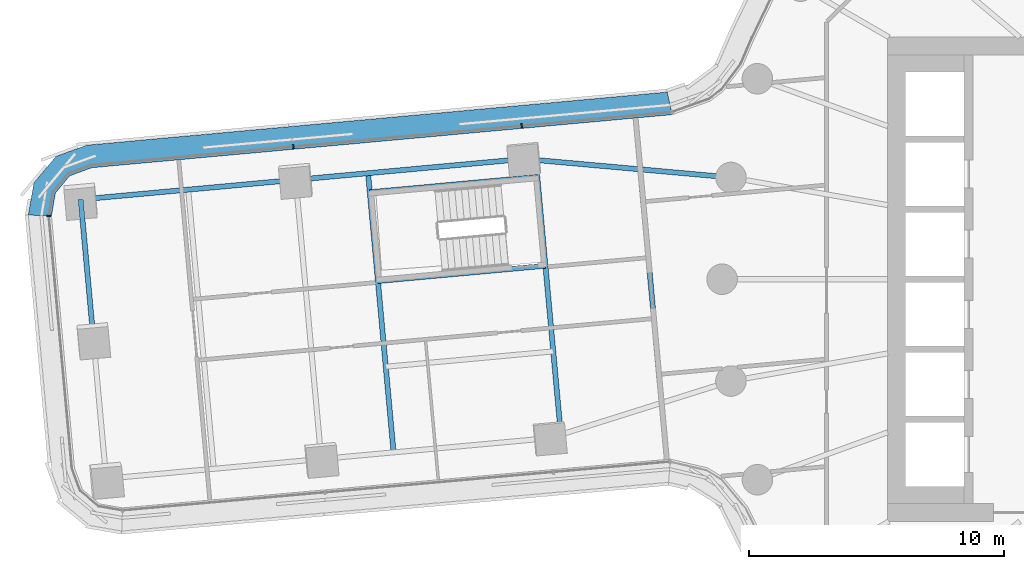
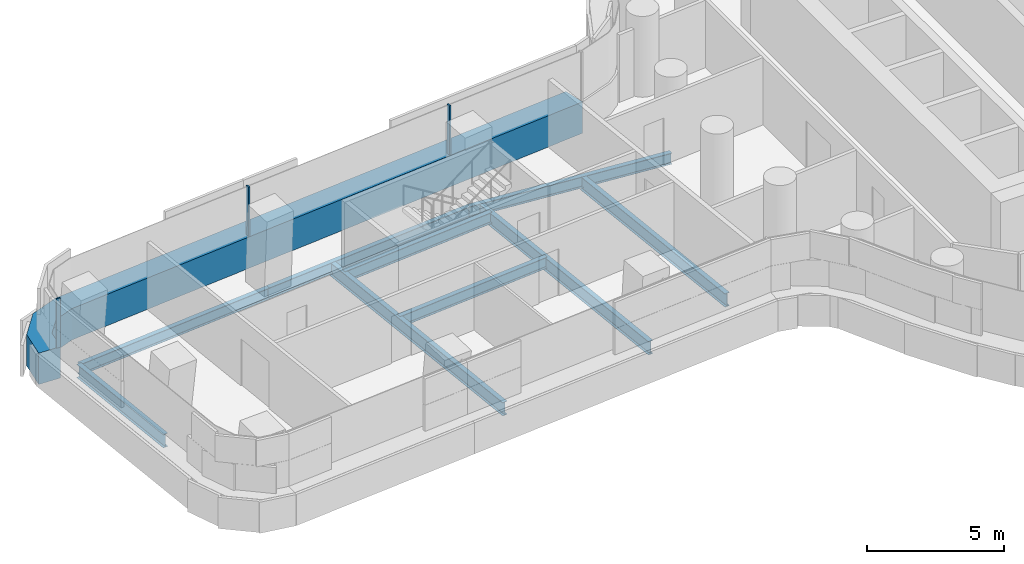
# One storey, part 6 of 31: 9 beams, 4 members, 2 elements without a shape of their own.
"""IFC4 building model written with IfcOpenShell, lengths in metres."""

from ifc_helpers import new_model, si_unit, direction, frame, origin, origin_2d, place, context, subcontext, project, spatial, polyline, rectangle, i_section, outline, extrude, material, layer, layer_set, material_profile, profile_set, type_object, element, aggregate, save


model = new_model("IFC4")

# Units and contexts
model_context = context("Model", 3, precision=1e-05, world=origin(), true_north=direction((0.0, 1.0)))
body_context = subcontext(model_context, "Body", "Model", "MODEL_VIEW")
ifc_project = project(units=[si_unit("LENGTHUNIT", "METRE"), si_unit("AREAUNIT", "SQUARE_METRE"), si_unit("VOLUMEUNIT", "CUBIC_METRE"), si_unit("PLANEANGLEUNIT", "RADIAN"), si_unit("MASSUNIT", "GRAM", prefix="KILO")], contexts=[model_context])

# Site, building, storey
site_placement = place(None, origin())
site = spatial("IfcSite", under=ifc_project, at=site_placement, CompositionType="ELEMENT")
building_placement = place(site_placement, origin())
building = spatial("IfcBuilding", under=site, at=building_placement, Name="Tamarind Cross Interchange Tower", CompositionType="ELEMENT")
storey_placement = place(building_placement, frame((0.0, 0.0, 52.75)))
storey = spatial("IfcBuildingStorey", under=building, at=storey_placement, Name="L11", CompositionType="ELEMENT", Elevation=52.75)

# Beams
ifc_material_1 = material(Name="Steel Q355B", Category="steel")
ifc_material_profile_1 = material_profile(ifc_material_1, i_section(OverallWidth=0.198974609375, OverallDepth=0.49609375, WebThickness=0.009033203125, FlangeThickness=0.013916015625, FilletRadius=0.012939453125, at=origin_2d()), Name="HN 496x199x9x14")
ifc_profile_set_1 = profile_set([ifc_material_profile_1], Name="Steel Q355B")
beam_type_1 = type_object("IfcBeamType", Name="Composite beam HN 496x199x9x14 Q355B", PredefinedType="BEAM", material=ifc_profile_set_1)
beam_1_placement = place(storey_placement, frame((-48.16796875, 3.13037109375, -0.387939453125), z_axis=(0.995844653941, 0.091068244839, 0.0), x_axis=(-0.091068244839, 0.995844653941, 0.0)))
element("IfcBeam", 1, at=beam_1_placement, inside=storey, type_object=beam_type_1, Name="Beam W-edgeem5", PredefinedType="BEAM", context=body_context, shape_type="SweptSolid", body=[
    extrude(i_section(OverallWidth=0.198974609375, OverallDepth=0.49609375, WebThickness=0.009033203125, FlangeThickness=0.013916015625, FilletRadius=0.012939453125, at=origin_2d()), origin(), (0.0, 0.0, 1.0), 8.47412109375),
])
beam_2_placement = place(storey_placement, frame((-39.72900390625, 3.902099609375, -0.387939453125), z_axis=(0.995847498535, 0.091037133423, 0.0), x_axis=(-0.091037133423, 0.995847498535, 0.0)))
element("IfcBeam", 2, at=beam_2_placement, inside=storey, type_object=beam_type_1, Name="Beam W-edgeem6", PredefinedType="BEAM", context=body_context, shape_type="SweptSolid", body=[
    extrude(i_section(OverallWidth=0.198974609375, OverallDepth=0.49609375, WebThickness=0.009033203125, FlangeThickness=0.013916015625, FilletRadius=0.012939453125, at=origin_2d()), origin(), (0.0, 0.0, 1.0), 9.0),
])
beam_3_placement = place(storey_placement, frame((-30.766357421875, 4.721435546875, -0.387939453125), z_axis=(0.996005888069, -0.089287574347, 0.0), x_axis=(0.089287574347, 0.996005888069, 0.0)))
element("IfcBeam", 3, at=beam_3_placement, inside=storey, type_object=beam_type_1, Name="Beam W-linkem", PredefinedType="BEAM", context=body_context, shape_type="SweptSolid", body=[
    extrude(i_section(OverallWidth=0.198974609375, OverallDepth=0.49609375, WebThickness=0.009033203125, FlangeThickness=0.013916015625, FilletRadius=0.012939453125, at=origin_2d()), origin(), (0.0, 0.0, 1.0), 8.148193359375),
])
beam_4_placement = place(storey_placement, frame((-30.25, 4.015625, -0.387939453125), z_axis=(-0.99584424524, -0.091072713933, 0.0), x_axis=(0.091072713933, -0.99584424524, 0.0)))
element("IfcBeam", 4, at=beam_4_placement, inside=storey, type_object=beam_type_1, Name="Beam W-tr0", PredefinedType="BEAM", context=body_context, shape_type="SweptSolid", body=[
    extrude(i_section(OverallWidth=0.198974609375, OverallDepth=0.49609375, WebThickness=0.009033203125, FlangeThickness=0.013916015625, FilletRadius=0.012939453125, at=origin_2d()), origin(), (0.0, 0.0, 1.0), 6.599853515625),
])
beam_5_placement = place(storey_placement, frame((-29.93115234375, 0.530029296875, -0.387939453125), z_axis=(-0.99584790603, -0.091032675757, 0.0), x_axis=(0.091032675757, -0.99584790603, 0.0)))
element("IfcBeam", 5, at=beam_5_placement, inside=storey, type_object=beam_type_1, Name="Beam W-tr1", PredefinedType="BEAM", context=body_context, shape_type="SweptSolid", body=[
    extrude(i_section(OverallWidth=0.198974609375, OverallDepth=0.49609375, WebThickness=0.009033203125, FlangeThickness=0.013916015625, FilletRadius=0.012939453125, at=origin_2d()), origin(), (0.0, 0.0, 1.0), 6.60009765625),
])
ifc_material_profile_2 = material_profile(ifc_material_1, i_section(OverallWidth=0.199951171875, OverallDepth=0.60009765625, WebThickness=0.010986328125, FlangeThickness=0.01708984375, FilletRadius=0.012939453125, at=origin_2d()), Name="HN 600x200x11x17")
ifc_profile_set_2 = profile_set([ifc_material_profile_2], Name="Steel Q355B")
beam_type_2 = type_object("IfcBeamType", Name="Composite beam HN 600x200x11x17 Q355B", PredefinedType="BEAM", material=ifc_profile_set_2)
beam_6_placement = place(storey_placement, frame((-48.16796875, 3.13037109375, -0.43994140625), z_axis=(0.09108805881, -0.995842841789, 0.0), x_axis=(0.995842841789, 0.09108805881, 0.0)))
element("IfcBeam", 6, at=beam_6_placement, inside=storey, type_object=beam_type_2, Name="Beam W-tip0", PredefinedType="BEAM", context=body_context, shape_type="SweptSolid", body=[
    extrude(i_section(OverallWidth=0.199951171875, OverallDepth=0.60009765625, WebThickness=0.010986328125, FlangeThickness=0.01708984375, FilletRadius=0.012939453125, at=origin_2d()), origin(), (0.0, 0.0, 1.0), 5.5),
])
beam_7_placement = place(storey_placement, frame((-30.310791015625, 4.6806640625, -0.43994140625), z_axis=(0.091064671518, -0.995844980708, 0.0), x_axis=(0.995844980708, 0.091064671518, 0.0)))
element("IfcBeam", 7, at=beam_7_placement, inside=storey, type_object=beam_type_2, Name="Beam W-x298", PredefinedType="BEAM", context=body_context, shape_type="SweptSolid", body=[
    extrude(i_section(OverallWidth=0.199951171875, OverallDepth=0.60009765625, WebThickness=0.010986328125, FlangeThickness=0.01708984375, FilletRadius=0.012939453125, at=origin_2d()), origin(), (0.0, 0.0, 1.0), 10.8203125),
])
beam_8_placement = place(storey_placement, frame((-36.890869140625, 4.161376953125, -0.43994140625), z_axis=(0.09106604795, -0.99584485484, 0.0), x_axis=(0.99584485484, 0.09106604795, 0.0)))
element("IfcBeam", 8, at=beam_8_placement, inside=storey, type_object=beam_type_2, Name="Beam W-x364", PredefinedType="BEAM", context=body_context, shape_type="SweptSolid", body=[
    extrude(i_section(OverallWidth=0.199951171875, OverallDepth=0.60009765625, WebThickness=0.010986328125, FlangeThickness=0.01708984375, FilletRadius=0.012939453125, at=origin_2d()), origin(), (0.0, 0.0, 1.0), 10.999755859375),
])
beam_9_placement = place(storey_placement, frame((-26.210205078125, 4.31298828125, -0.43994140625), z_axis=(0.091057236296, -0.995845660591, 0.0), x_axis=(0.995845660591, 0.091057236296, 0.0)))
element("IfcBeam", 9, at=beam_9_placement, inside=storey, type_object=beam_type_2, Name="Beam W-x258", PredefinedType="BEAM", context=body_context, shape_type="SweptSolid", body=[
    extrude(i_section(OverallWidth=0.199951171875, OverallDepth=0.60009765625, WebThickness=0.010986328125, FlangeThickness=0.01708984375, FilletRadius=0.012939453125, at=origin_2d()), origin(), (0.0, 0.0, 1.0), 9.201904296875),
])

# Curtain wall, members
ifc_material_2 = material(Name="Aluminium 6063-T6", Category="aluminium")
ifc_layer = layer(ifc_material_2, 0.159912109375)
ifc_layer_set = layer_set([ifc_layer], Name="Aluminium 6063-T6")
curtain_wall_type = type_object("IfcCurtainWallType", Name="Office curtain wall, 9.0 m bays", PredefinedType="NOTDEFINED", material=ifc_layer_set)
curtain_wall_1_placement = place(storey_placement, origin())
curtain_wall_1 = element("IfcCurtainWall", 10, at=curtain_wall_1_placement, inside=storey, type_object=curtain_wall_type, Name="CWS-L11-03", PredefinedType="NOTDEFINED")
ifc_material_3 = material(Name="Aluminium and insulated spandrel panel", Category="aluminium")
member_type_1 = type_object("IfcMemberType", Name="Floor-edge blade transom", PredefinedType="USERDEFINED", material=ifc_material_3)
member_1_placement = place(storey_placement, origin())
member_1 = element("IfcMember", 11, at=member_1_placement, type_object=member_type_1, Name="CWT-L11-03", ObjectType="TRANSOM", PredefinedType="USERDEFINED", context=body_context, shape_type="SweptSolid", body=[
    extrude(outline(polyline([(-24.954833984375, 6.457763671875), (-47.73974609375, 4.37451171875), (-48.598876953125, 4.05810546875), (-49.158203125, 3.385986328125), (-49.313720703125, 2.48388671875), (-50.220703125, 2.52001953125), (-50.00439453125, 3.7763671875), (-49.13623046875, 4.8193359375), (-47.939697265625, 5.260009765625), (-25.150146484375, 7.34375), (-24.954833984375, 6.457763671875)])), origin(), (0.0, 0.0, 1.0), 1.39990234375),
])
ifc_material_profile_3 = material_profile(ifc_material_2, rectangle(XDim=0.06005859375, YDim=0.159912109375, at=origin_2d()), Name="Mullion CW1")
ifc_profile_set_3 = profile_set([ifc_material_profile_3], Name="Aluminium 6063-T6")
member_type_2 = type_object("IfcMemberType", Name="Mullion CW1", PredefinedType="MULLION", material=ifc_profile_set_3)
member_2_placement = place(storey_placement, frame((-30.859375, 6.018310546875, 1.39990234375), z_axis=(0.0, 0.0, 1.0), x_axis=(-0.995846347162, -0.091049727316, 0.0)))
member_2 = element("IfcMember", 12, at=member_2_placement, type_object=member_type_2, Name="CWM-L11-03-01", PredefinedType="MULLION", context=body_context, shape_type="SweptSolid", body=[
    extrude(rectangle(XDim=0.06005859375, YDim=0.159912109375, at=origin_2d()), origin(), (0.0, 0.0, 1.0), 2.210205078125),
])
member_3_placement = place(storey_placement, frame((-39.8212890625, 5.198974609375, 1.39990234375), z_axis=(0.0, 0.0, 1.0), x_axis=(-0.995846347162, -0.091049727316, 0.0)))
member_3 = element("IfcMember", 13, at=member_3_placement, type_object=member_type_2, Name="CWM-L11-03-02", PredefinedType="MULLION", context=body_context, shape_type="SweptSolid", body=[
    extrude(rectangle(XDim=0.06005859375, YDim=0.159912109375, at=origin_2d()), origin(), (0.0, 0.0, 1.0), 2.210205078125),
])
aggregate(curtain_wall_1, [member_2, member_3, member_1])

# Curtain wall, member
curtain_wall_2_placement = place(storey_placement, origin())
curtain_wall_2 = element("IfcCurtainWall", 14, at=curtain_wall_2_placement, inside=storey, type_object=curtain_wall_type, Name="CWS-L11-04", PredefinedType="NOTDEFINED")
member_4_placement = place(storey_placement, frame((-49.41455078125, 2.488037109375, 1.39990234375), z_axis=(0.0, 0.0, 1.0), x_axis=(-0.039713247455, -0.999211117821, 0.0)))
member_4 = element("IfcMember", 15, at=member_4_placement, type_object=member_type_2, Name="CWM-L11-04-00", PredefinedType="MULLION", context=body_context, shape_type="SweptSolid", body=[
    extrude(rectangle(XDim=0.06005859375, YDim=0.159912109375, at=origin_2d()), origin(), (0.0, 0.0, 1.0), 2.210205078125),
])
aggregate(curtain_wall_2, [member_4])

save(model, "model.ifc")
